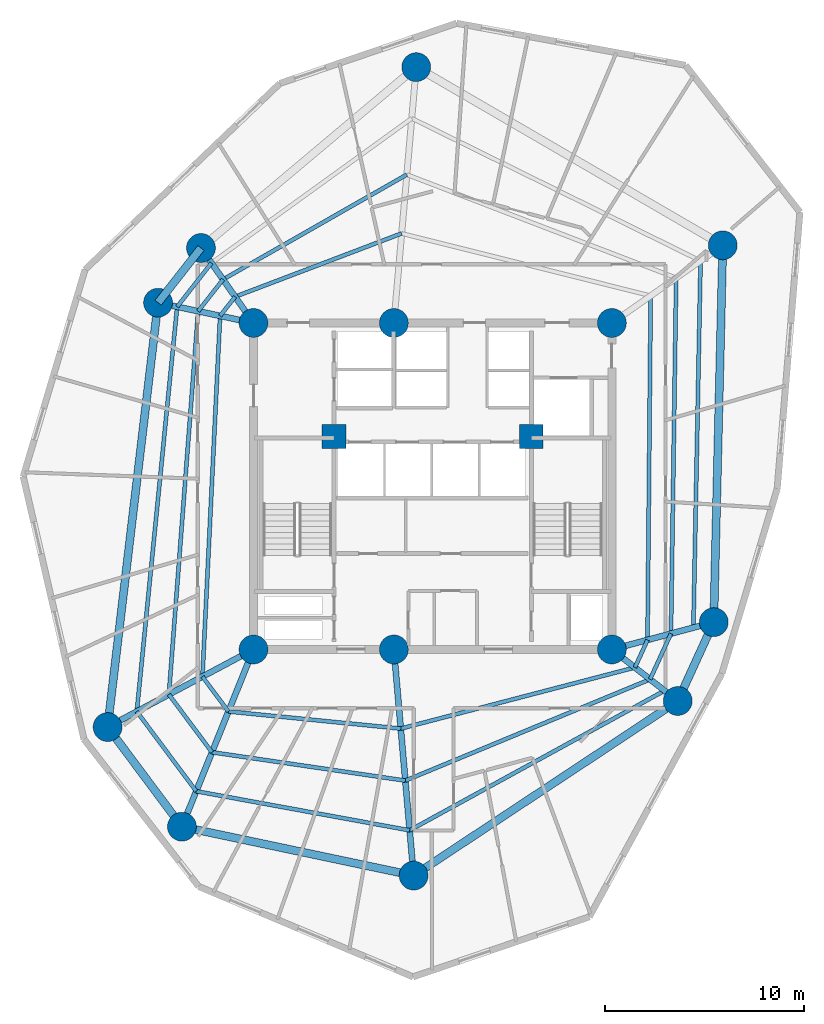
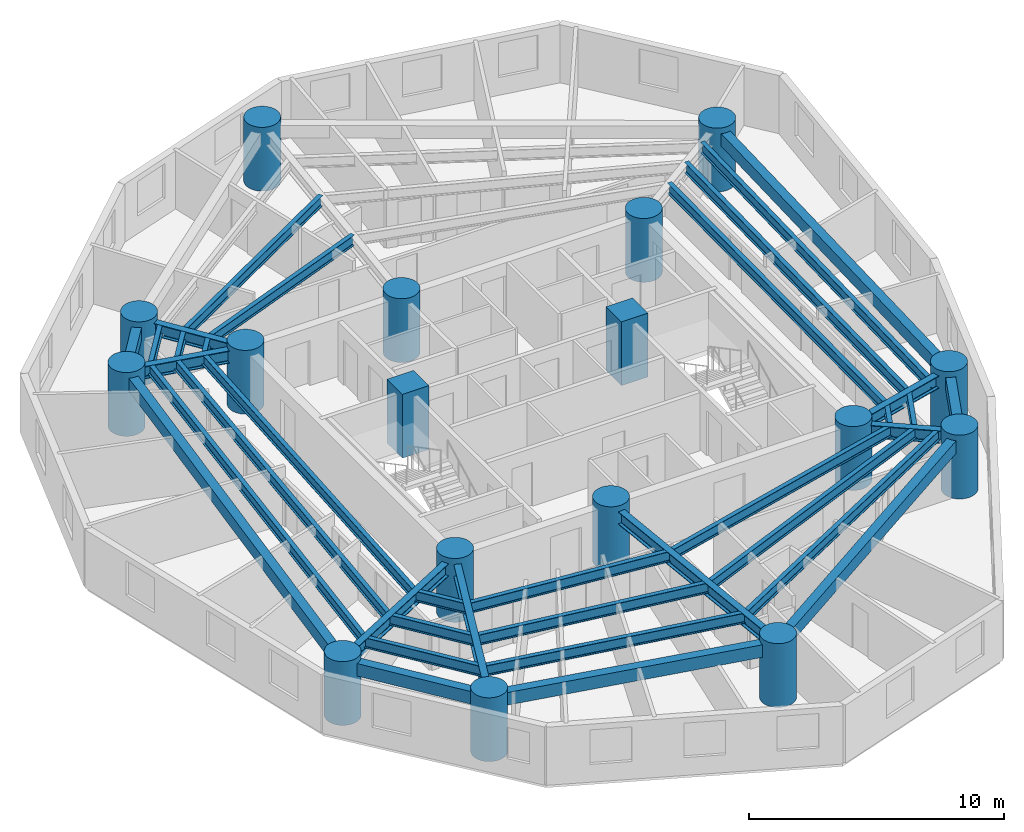
# One storey, part 1 of 7: 36 beams, 17 columns.
"""IFC4 building model written with IfcOpenShell, lengths in metres."""

import ifcopenshell
import ifcopenshell.guid

model = None  # the IFC model being written
_history = None  # IfcOwnerHistory: only IFC2X3 demands one
_inside = {}  # id of a spatial element -> (the spatial element, [elements in it])
_under = {}  # id of a project, library or spatial element -> (it, [spatial elements below it])
_declared = {}  # id of a project -> (the project, [libraries it declares])
_typed = {}  # id of a type object -> (the type object, [elements of that type])
_made_of = {}  # id of a material, layer set ... -> (it, [elements and type objects made of it])


def new_model(schema):
    """Start an empty IFC model of exactly this schema.

    Asked for "IFC4X3", IfcOpenShell would pick the latest addendum, in which some entities
    have other attributes; the version numbers below select the first issue.
    IFC2X3 requires an IfcOwnerHistory on every rooted entity: one is made here for all.
    """
    global model, _history
    if schema == "IFC4X3":
        model = ifcopenshell.file(schema_version=(4, 3, 0, 0))
    else:
        model = ifcopenshell.file(schema=schema)
    _inside.clear()
    _under.clear()
    _declared.clear()
    _typed.clear()
    _made_of.clear()
    _history = None
    if model.schema == "IFC2X3":
        org = make("IfcOrganization", Name="unknown")
        user = make(
            "IfcPersonAndOrganization",
            ThePerson=make("IfcPerson", FamilyName="unknown"),
            TheOrganization=org,
        )
        app = make(
            "IfcApplication",
            ApplicationDeveloper=org,
            Version="unknown",
            ApplicationFullName="unknown",
            ApplicationIdentifier="unknown",
        )
        _history = make(
            "IfcOwnerHistory",
            OwningUser=user,
            OwningApplication=app,
            ChangeAction="ADDED",
            CreationDate=0,
        )
    return model


def make(cls, **values):
    """One entity of the class cls with the attributes given. An attribute that is None is left unset."""
    return model.create_entity(
        cls, **{name: value for name, value in values.items() if value is not None}
    )


def rooted(cls, **values):
    """An entity with a GlobalId (a new one), such as an element, a storey or a relation."""
    return make(cls, GlobalId=ifcopenshell.guid.new(), OwnerHistory=_history, **values)


def si_unit(unit_type, name, prefix=None):
    """IfcSIUnit, for example si_unit("LENGTHUNIT", "METRE", prefix="MILLI")."""
    return make("IfcSIUnit", UnitType=unit_type, Prefix=prefix, Name=name)


def assignment(units):
    """IfcUnitAssignment: the units of a project."""
    return None if units is None else make("IfcUnitAssignment", Units=units)


def point(xyz):
    """IfcCartesianPoint."""
    return None if xyz is None else make("IfcCartesianPoint", Coordinates=xyz)


def direction(xyz):
    """IfcDirection."""
    return None if xyz is None else make("IfcDirection", DirectionRatios=xyz)


def frame(location, z_axis=None, x_axis=None):
    """IfcAxis2Placement3D, a coordinate frame: its origin and axes. An axis left out is left unset."""
    return make(
        "IfcAxis2Placement3D",
        Location=point(location),
        Axis=direction(z_axis),
        RefDirection=direction(x_axis),
    )


def frame_2d(location, x_axis=None):
    """IfcAxis2Placement2D, a coordinate frame in the plane: its origin and x axis."""
    return make(
        "IfcAxis2Placement2D", Location=point(location), RefDirection=direction(x_axis)
    )


def origin():
    """The frame at (0, 0, 0) with its axes left unset."""
    return frame((0.0, 0.0, 0.0))


def origin_with_axes():
    """The frame at (0, 0, 0) with the z axis (0, 0, 1) and the x axis (1, 0, 0) written out."""
    return frame((0.0, 0.0, 0.0), z_axis=(0.0, 0.0, 1.0), x_axis=(1.0, 0.0, 0.0))


def origin_2d():
    """The frame at (0, 0) in the plane with its x axis left unset."""
    return frame_2d((0.0, 0.0))


def place(relative_to, where):
    """IfcLocalPlacement: puts the frame where relative to a parent placement (None: the world)."""
    return make(
        "IfcLocalPlacement", PlacementRelTo=relative_to, RelativePlacement=where
    )


def context(
    kind, dimensions, precision=None, world=None, true_north=None, identifier=None
):
    """IfcGeometricRepresentationContext, for example the 3D "Model" context."""
    return make(
        "IfcGeometricRepresentationContext",
        ContextIdentifier=identifier,
        ContextType=kind,
        CoordinateSpaceDimension=dimensions,
        Precision=precision,
        WorldCoordinateSystem=world,
        TrueNorth=true_north,
    )


def subcontext(parent, identifier, kind, view, scale=None):
    """IfcGeometricRepresentationSubContext, for example "Body" below "Model"."""
    return make(
        "IfcGeometricRepresentationSubContext",
        ContextIdentifier=identifier,
        ContextType=kind,
        ParentContext=parent,
        TargetScale=scale,
        TargetView=view,
    )


def project(units=None, contexts=None):
    """IfcProject with its units and contexts."""
    return rooted(
        "IfcProject",
        Name="project",
        RepresentationContexts=contexts,
        UnitsInContext=assignment(units),
    )


def spatial(cls, under=None, at=None, **own):
    """A site, building, storey or space (cls), placed at a placement, below another one or the project."""
    s = rooted(cls, ObjectPlacement=at, **own)
    if under is not None:
        _under.setdefault(under.id(), (under, []))[1].append(s)
    return s


def profile(cls, at=None, kind="AREA", **sizes):
    """A parametric profile (cls). Its sizes go by their IFC names, for example OverallWidth=200.0."""
    return make(cls, ProfileType=kind, Position=at, **sizes)


def rectangle(**sizes):
    """IfcRectangleProfileDef."""
    return profile("IfcRectangleProfileDef", **sizes)


def circle(**sizes):
    """IfcCircleProfileDef."""
    return profile("IfcCircleProfileDef", **sizes)


def i_section(**sizes):
    """IfcIShapeProfileDef."""
    return profile("IfcIShapeProfileDef", **sizes)


def extrude(swept, where, along, depth):
    """IfcExtrudedAreaSolid: the profile swept, set in the frame where, extruded along a direction by depth."""
    return make(
        "IfcExtrudedAreaSolid",
        SweptArea=swept,
        Position=where,
        ExtrudedDirection=direction(along),
        Depth=depth,
    )


def shape(context_of_items, identifier, shape_type, items):
    """IfcShapeRepresentation: the items that make up one representation, for example the "Body"."""
    return make(
        "IfcShapeRepresentation",
        ContextOfItems=context_of_items,
        RepresentationIdentifier=identifier,
        RepresentationType=shape_type,
        Items=items,
    )


def source(mapping_origin, context_of_items, identifier, shape_type, items):
    """IfcRepresentationMap: a shape defined once, which mapped items show again and again."""
    return make(
        "IfcRepresentationMap",
        MappingOrigin=mapping_origin,
        MappedRepresentation=shape(context_of_items, identifier, shape_type, items),
    )


def transform(
    local_origin,
    x_axis=None,
    y_axis=None,
    z_axis=None,
    scale=None,
    scale2=None,
    scale3=None,
    uniform=True,
):
    """IfcCartesianTransformationOperator3D, or its non-uniform kind. x_axis, y_axis, z_axis: its Axis1, 2, 3."""
    if uniform:
        return make(
            "IfcCartesianTransformationOperator3D",
            Axis1=direction(x_axis),
            Axis2=direction(y_axis),
            LocalOrigin=point(local_origin),
            Scale=scale,
            Axis3=direction(z_axis),
        )
    return make(
        "IfcCartesianTransformationOperator3DnonUniform",
        Axis1=direction(x_axis),
        Axis2=direction(y_axis),
        LocalOrigin=point(local_origin),
        Scale=scale,
        Axis3=direction(z_axis),
        Scale2=scale2,
        Scale3=scale3,
    )


def mapped(mapping_source, mapping_target):
    """IfcMappedItem: shows the shape of a source again, moved by a transform."""
    return make(
        "IfcMappedItem", MappingSource=mapping_source, MappingTarget=mapping_target
    )


def material(Name=None, Category=None):
    """IfcMaterial."""
    return make("IfcMaterial", Name=Name, Category=Category)


def material_profile(
    of_material, cross_section, Name=None, Category=None, Priority=None
):
    """IfcMaterialProfile: a cross section and its material."""
    return make(
        "IfcMaterialProfile",
        Name=Name,
        Material=of_material,
        Profile=cross_section,
        Priority=Priority,
        Category=Category,
    )


def profile_set(profiles, Name=None, composite=None):
    """IfcMaterialProfileSet."""
    return make(
        "IfcMaterialProfileSet",
        Name=Name,
        MaterialProfiles=profiles,
        CompositeProfile=composite,
    )


def made_of(thing, what):
    """Note that an element or type object is made of a material, layer set ...; save() writes the relation."""
    if what is not None:
        _made_of.setdefault(what.id(), (what, []))[1].append(thing)
    return thing


def type_object(cls, material=None, **own):
    """A type object (cls), such as IfcWallType, which elements share."""
    return made_of(rooted(cls, **own), material)


def element(
    cls,
    number,
    at=None,
    inside=None,
    cuts=None,
    type_object=None,
    material=None,
    context=None,
    identifier="Body",
    shape_type=None,
    held_by="IfcProductDefinitionShape",
    body=None,
    shapes=None,
    **own,
):
    """One element of the class cls, such as IfcWall. Its Tag is "e" and its number.

    at: its placement. inside: the storey or other place that contains it. cuts: it is an
    opening in that element (IfcRelVoidsElement). A single representation is given by context,
    identifier, shape_type and body (its items); several are given by shapes. held_by: the class
    of the entity that holds the representations. save() writes the other relations.
    """
    e = rooted(cls, Tag="e%d" % number, ObjectPlacement=at, **own)
    if body is not None:
        shapes = [shape(context, identifier, shape_type, body)]
    if shapes is not None:
        e.Representation = make(held_by, Representations=shapes)
    if inside is not None:
        _inside.setdefault(inside.id(), (inside, []))[1].append(e)
    if cuts is not None:
        rooted(
            "IfcRelVoidsElement", RelatingBuildingElement=cuts, RelatedOpeningElement=e
        )
    if type_object is not None:
        _typed.setdefault(type_object.id(), (type_object, []))[1].append(e)
    return made_of(e, material)


def aggregate(whole, parts):
    """IfcRelAggregates: a whole, such as a stair, and the parts it consists of."""
    return rooted("IfcRelAggregates", RelatingObject=whole, RelatedObjects=parts)


def save(model, path):
    """Write the relations noted so far, then the file.

    IfcRelAggregates (storeys below a building ...), IfcRelContainedInSpatialStructure (elements
    in a storey), IfcRelDefinesByType, IfcRelAssociatesMaterial and IfcRelDeclares: one each for
    every whole, place, type object, material and project.
    """
    for whole, parts in _under.values():
        aggregate(whole, parts)
    for where, things in _inside.values():
        rooted(
            "IfcRelContainedInSpatialStructure",
            RelatedElements=things,
            RelatingStructure=where,
        )
    for kind, things in _typed.values():
        rooted("IfcRelDefinesByType", RelatedObjects=things, RelatingType=kind)
    for what, things in _made_of.values():
        rooted("IfcRelAssociatesMaterial", RelatedObjects=things, RelatingMaterial=what)
    for by, libraries in _declared.values():
        rooted("IfcRelDeclares", RelatingContext=by, RelatedDefinitions=libraries)
    model.write(path)


model = new_model("IFC4")

# Units and contexts
model_context = context("Model", 3, precision=1e-05, world=origin(), true_north=direction((0.0, 1.0)))
body_context = subcontext(model_context, "Body", "Model", "MODEL_VIEW")
ifc_project = project(units=[si_unit("LENGTHUNIT", "METRE"), si_unit("AREAUNIT", "SQUARE_METRE"), si_unit("VOLUMEUNIT", "CUBIC_METRE"), si_unit("PLANEANGLEUNIT", "RADIAN"), si_unit("MASSUNIT", "GRAM", prefix="KILO")], contexts=[model_context])

# Site, building, storey
site_placement = place(None, origin())
site = spatial("IfcSite", under=ifc_project, at=site_placement, CompositionType="ELEMENT")
building_placement = place(site_placement, origin())
building = spatial("IfcBuilding", under=site, at=building_placement, Name="Karkom Vertical University and Central Library", CompositionType="ELEMENT")
storey_placement = place(building_placement, frame((0.0, 0.0, 145.0)))
storey = spatial("IfcBuildingStorey", under=building, at=storey_placement, Name="L41", CompositionType="ELEMENT", Elevation=145.0)

# Columns
ifc_material_1 = material(Name="Concrete C50/60", Category="concrete")
ifc_material_profile_1 = material_profile(ifc_material_1, circle(Radius=0.72509765625, at=origin_2d()), Name="CFT-D1450")
ifc_profile_set_1 = profile_set([ifc_material_profile_1], Name="Concrete C50/60")
column_type_1 = type_object("IfcColumnType", Name="STR-COL-C-SC3", PredefinedType="COLUMN", material=ifc_profile_set_1)
shared_shape_1 = source(origin_with_axes(), body_context, "Body", "SweptSolid", [
    extrude(circle(Radius=0.72509765625, at=origin_2d()), origin(), (0.0, 0.0, 1.0), 3.050048828125),
])
for number, where, z_axis, x_axis, name in (
    (1, (19.5, 18.300048828125, 0.0), (0.0, 0.0, 1.0), (1.0, 0.0, 0.0), "Level 41 Spine Mega-Column SC-1"),
    (2, (26.550048828125, 18.300048828125, 0.0), (0.0, 0.0, 1.0), (1.0, 0.0, 0.0), "Level 41 Spine Mega-Column SC-2"),
    (3, (37.5, 18.300048828125, 0.0), (0.0, 0.0, 1.0), (1.0, 0.0, 0.0), "Level 41 Spine Mega-Column SC-3"),
    (4, (19.5, 34.699951171875, 0.0), (0.0, 0.0, 1.0), (1.0, 0.0, 0.0), "Level 41 Spine Mega-Column SC-4"),
    (5, (26.550048828125, 34.699951171875, 0.0), (0.0, 0.0, 1.0), (1.0, 0.0, 0.0), "Level 41 Spine Mega-Column SC-5"),
    (6, (37.5, 34.699951171875, 0.0), (0.0, 0.0, 1.0), (1.0, 0.0, 0.0), "Level 41 Spine Mega-Column SC-6"),
    (7, (42.618896484375, 19.672119140625, 0.0), (0.0, 0.0, 1.0), (1.0, 0.0, 0.0), "Level 41 Perimeter Mega-Column Z2-PC1"),
    (8, (43.070068359375, 38.60009765625, 0.0), (0.0, 0.0, 1.0), (1.0, 0.0, 0.0), "Level 41 Perimeter Mega-Column Z2-PC2"),
    (9, (27.674072265625, 47.551025390625, 0.0), (0.0, 0.0, 1.0), (1.0, 0.0, 0.0), "Level 41 Perimeter Mega-Column Z2-PC3"),
    (10, (16.862060546875, 38.468017578125, 0.0), (0.0, 0.0, 1.0), (1.0, 0.0, 0.0), "Level 41 Perimeter Mega-Column Z2-PC4"),
    (11, (14.70703125, 35.718994140625, 0.0), (0.0, 0.0, 1.0), (1.0, 0.0, 0.0), "Level 41 Perimeter Mega-Column Z2-PC5"),
    (12, (12.172119140625, 14.403076171875, 0.0), (0.0, 0.0, 1.0), (1.0, 0.0, 0.0), "Level 41 Perimeter Mega-Column Z2-PC6"),
    (13, (15.904052734375, 9.39892578125, 0.0), (0.0, 0.0, 1.0), (1.0, 0.0, 0.0), "Level 41 Perimeter Mega-Column Z2-PC7"),
    (14, (27.5439453125, 6.943115234375, 0.0), (0.0, 0.0, 1.0), (1.0, 0.0, 0.0), "Level 41 Perimeter Mega-Column Z2-PC8"),
    (15, (40.81005859375, 15.714111328125, 0.0), (0.0, 0.0, 1.0), (1.0, 0.0, 0.0), "Level 41 Perimeter Mega-Column Z2-PC9"),
):
    element("IfcColumn", number, at=place(storey_placement, frame(where, z_axis=z_axis, x_axis=x_axis)), inside=storey, type_object=column_type_1, Name=name, PredefinedType="COLUMN", context=body_context, shape_type="MappedRepresentation", body=[
        mapped(shared_shape_1, transform((0.0, 0.0, 0.0), scale=1.0)),
    ])
ifc_material_profile_2 = material_profile(ifc_material_1, rectangle(XDim=1.199951171875, YDim=1.199951171875, at=origin_2d()), Name="RC-1200x1200")
ifc_profile_set_2 = profile_set([ifc_material_profile_2], Name="Concrete C50/60")
column_type_2 = type_object("IfcColumnType", Name="STR-COL-C-CC1", PredefinedType="COLUMN", material=ifc_profile_set_2)
shared_shape_2 = source(origin_with_axes(), body_context, "Body", "SweptSolid", [
    extrude(rectangle(XDim=1.199951171875, YDim=1.199951171875, at=origin_2d()), origin(), (0.0, 0.0, 1.0), 3.050048828125),
])
for number, where, z_axis, x_axis, name in (
    (16, (23.550048828125, 29.0, 0.0), (0.0, 0.0, 1.0), (1.0, 0.0, 0.0), "Level 41 Core Node Column CC-1"),
    (17, (33.449951171875, 29.0, 0.0), (0.0, 0.0, 1.0), (1.0, 0.0, 0.0), "Level 41 Core Node Column CC-2"),
):
    element("IfcColumn", number, at=place(storey_placement, frame(where, z_axis=z_axis, x_axis=x_axis)), inside=storey, type_object=column_type_2, Name=name, PredefinedType="COLUMN", context=body_context, shape_type="MappedRepresentation", body=[
        mapped(shared_shape_2, transform((0.0, 0.0, 0.0), scale=1.0)),
    ])

# Beams
ifc_material_2 = material(Name="Precast concrete C45/55", Category="concrete")
ifc_material_profile_3 = material_profile(ifc_material_2, rectangle(XDim=0.39990234375, YDim=0.60009765625, at=origin_2d()), Name="SPB-400x600")
ifc_profile_set_3 = profile_set([ifc_material_profile_3], Name="Precast concrete C45/55")
beam_type_1 = type_object("IfcBeamType", Name="STR-BM-SP-1", PredefinedType="SPANDREL", material=ifc_profile_set_3)
shared_shape_3 = source(origin_with_axes(), body_context, "Body", "SweptSolid", [
    extrude(rectangle(XDim=0.39990234375, YDim=0.60009765625, at=origin_2d()), origin(), (0.0, 0.0, 1.0), 18.933349609375),
])
beam_1_placement = place(storey_placement, frame((42.618896484375, 19.672119140625, 2.47509765625), z_axis=(0.02382947333, 0.999716037783, 0.0), x_axis=(-0.999716037783, 0.02382947333, 0.0)))
element("IfcBeam", 18, at=beam_1_placement, inside=storey, type_object=beam_type_1, Name="Level 41 Perimeter Spandrel Beam 01", PredefinedType="SPANDREL", context=body_context, shape_type="MappedRepresentation", body=[
    mapped(shared_shape_3, transform((0.0, 0.0, 0.0), scale=1.0)),
])
shared_shape_4 = source(origin_with_axes(), body_context, "Body", "SweptSolid", [
    extrude(rectangle(XDim=0.39990234375, YDim=0.60009765625, at=origin_2d()), origin(), (0.0, 0.0, 1.0), 3.492919921875),
])
beam_2_placement = place(storey_placement, frame((16.862060546875, 38.468017578125, 2.47509765625), z_axis=(-0.616950700538, -0.787001799938, 0.0), x_axis=(0.787001799938, -0.616950700538, 0.0)))
element("IfcBeam", 19, at=beam_2_placement, inside=storey, type_object=beam_type_1, Name="Level 41 Perimeter Spandrel Beam 04", PredefinedType="SPANDREL", context=body_context, shape_type="MappedRepresentation", body=[
    mapped(shared_shape_4, transform((0.0, 0.0, 0.0), scale=1.0)),
])
shared_shape_5 = source(origin_with_axes(), body_context, "Body", "SweptSolid", [
    extrude(rectangle(XDim=0.39990234375, YDim=0.60009765625, at=origin_2d()), origin(), (0.0, 0.0, 1.0), 21.466064453125),
])
beam_3_placement = place(storey_placement, frame((14.70703125, 35.718994140625, 2.47509765625), z_axis=(-0.118088996795, -0.993003015522, 0.0), x_axis=(0.993003015522, -0.118088996795, 0.0)))
element("IfcBeam", 20, at=beam_3_placement, inside=storey, type_object=beam_type_1, Name="Level 41 Perimeter Spandrel Beam 05", PredefinedType="SPANDREL", context=body_context, shape_type="MappedRepresentation", body=[
    mapped(shared_shape_5, transform((0.0, 0.0, 0.0), scale=1.0)),
])
shared_shape_6 = source(origin_with_axes(), body_context, "Body", "SweptSolid", [
    extrude(rectangle(XDim=0.39990234375, YDim=0.60009765625, at=origin_2d()), origin(), (0.0, 0.0, 1.0), 6.242431640625),
])
beam_4_placement = place(storey_placement, frame((12.172119140625, 14.403076171875, 2.47509765625), z_axis=(0.59782643552, -0.801625569074, 0.0), x_axis=(0.801625569074, 0.59782643552, 0.0)))
element("IfcBeam", 21, at=beam_4_placement, inside=storey, type_object=beam_type_1, Name="Level 41 Perimeter Spandrel Beam 06", PredefinedType="SPANDREL", context=body_context, shape_type="MappedRepresentation", body=[
    mapped(shared_shape_6, transform((0.0, 0.0, 0.0), scale=1.0)),
])
shared_shape_7 = source(origin_with_axes(), body_context, "Body", "SweptSolid", [
    extrude(rectangle(XDim=0.39990234375, YDim=0.60009765625, at=origin_2d()), origin(), (0.0, 0.0, 1.0), 11.896240234375),
])
beam_5_placement = place(storey_placement, frame((15.904052734375, 9.39892578125, 2.47509765625), z_axis=(0.978459762135, -0.206437627101, 0.0), x_axis=(0.206437627101, 0.978459762135, 0.0)))
element("IfcBeam", 22, at=beam_5_placement, inside=storey, type_object=beam_type_1, Name="Level 41 Perimeter Spandrel Beam 07", PredefinedType="SPANDREL", context=body_context, shape_type="MappedRepresentation", body=[
    mapped(shared_shape_7, transform((0.0, 0.0, 0.0), scale=1.0)),
])
shared_shape_8 = source(origin_with_axes(), body_context, "Body", "SweptSolid", [
    extrude(rectangle(XDim=0.39990234375, YDim=0.60009765625, at=origin_2d()), origin(), (0.0, 0.0, 1.0), 15.903564453125),
])
beam_6_placement = place(storey_placement, frame((27.5439453125, 6.943115234375, 2.47509765625), z_axis=(0.834165069331, 0.551514856652, 0.0), x_axis=(-0.551514856652, 0.834165069331, 0.0)))
element("IfcBeam", 23, at=beam_6_placement, inside=storey, type_object=beam_type_1, Name="Level 41 Perimeter Spandrel Beam 08", PredefinedType="SPANDREL", context=body_context, shape_type="MappedRepresentation", body=[
    mapped(shared_shape_8, transform((0.0, 0.0, 0.0), scale=1.0)),
])
shared_shape_9 = source(origin_with_axes(), body_context, "Body", "SweptSolid", [
    extrude(rectangle(XDim=0.39990234375, YDim=0.60009765625, at=origin_2d()), origin(), (0.0, 0.0, 1.0), 4.351806640625),
])
beam_7_placement = place(storey_placement, frame((40.81005859375, 15.714111328125, 2.47509765625), z_axis=(0.415657668422, 0.909521139217, 0.0), x_axis=(-0.909521139217, 0.415657668422, 0.0)))
element("IfcBeam", 24, at=beam_7_placement, inside=storey, type_object=beam_type_1, Name="Level 41 Perimeter Spandrel Beam 09", PredefinedType="SPANDREL", context=body_context, shape_type="MappedRepresentation", body=[
    mapped(shared_shape_9, transform((0.0, 0.0, 0.0), scale=1.0)),
])
ifc_material_3 = material(Name="Steel S355", Category="steel")
ifc_material_profile_4 = material_profile(ifc_material_3, i_section(OverallWidth=0.199951171875, OverallDepth=0.5, WebThickness=0.01025390625, FlangeThickness=0.01611328125, FilletRadius=0.02099609375, at=origin_2d()), Name="IPE 500")
ifc_profile_set_4 = profile_set([ifc_material_profile_4], Name="Steel S355")
beam_type_2 = type_object("IfcBeamType", Name="STR-BM-SB-IPE500", PredefinedType="BEAM", material=ifc_profile_set_4)
shared_shape_10 = source(origin_with_axes(), body_context, "Body", "SweptSolid", [
    extrude(i_section(OverallWidth=0.199951171875, OverallDepth=0.5, WebThickness=0.01025390625, FlangeThickness=0.01611328125, FilletRadius=0.02099609375, at=origin_2d()), origin(), (0.0, 0.0, 1.0), 17.285400390625),
])
beam_8_placement = place(storey_placement, frame((39.29150390625, 18.7802734375, 2.52490234375), z_axis=(0.009138294648, 0.999958244914, 0.0), x_axis=(-0.999958244914, 0.009138294648, 0.0)))
element("IfcBeam", 25, at=beam_8_placement, inside=storey, type_object=beam_type_2, Name="Level 41 Secondary Composite Floor Beam 1.01", PredefinedType="BEAM", context=body_context, shape_type="MappedRepresentation", body=[
    mapped(shared_shape_10, transform((0.0, 0.0, 0.0), scale=1.0)),
])
shared_shape_11 = source(origin_with_axes(), body_context, "Body", "SweptSolid", [
    extrude(i_section(OverallWidth=0.199951171875, OverallDepth=0.5, WebThickness=0.01025390625, FlangeThickness=0.01611328125, FilletRadius=0.02099609375, at=origin_2d()), origin(), (0.0, 0.0, 1.0), 8.950439453125),
])
beam_9_placement = place(storey_placement, frame((26.943359375, 39.197998046875, 2.52490234375), z_axis=(-0.93478901494, -0.355203459368, 0.0), x_axis=(0.355203459368, -0.93478901494, 0.0)))
element("IfcBeam", 26, at=beam_9_placement, inside=storey, type_object=beam_type_2, Name="Level 41 Secondary Composite Floor Beam 1.03", PredefinedType="BEAM", context=body_context, shape_type="MappedRepresentation", body=[
    mapped(shared_shape_11, transform((0.0, 0.0, 0.0), scale=1.0)),
])
shared_shape_12 = source(origin_with_axes(), body_context, "Body", "SweptSolid", [
    extrude(i_section(OverallWidth=0.199951171875, OverallDepth=0.5, WebThickness=0.01025390625, FlangeThickness=0.01611328125, FilletRadius=0.02099609375, at=origin_2d()), origin(), (0.0, 0.0, 1.0), 1.222412109375),
])
beam_10_placement = place(storey_placement, frame((18.57666015625, 36.018798828125, 2.52490234375), z_axis=(-0.616895037184, -0.787045432677, 0.0), x_axis=(0.787045432677, -0.616895037184, 0.0)))
element("IfcBeam", 27, at=beam_10_placement, inside=storey, type_object=beam_type_2, Name="Level 41 Secondary Composite Floor Beam 1.04", PredefinedType="BEAM", context=body_context, shape_type="MappedRepresentation", body=[
    mapped(shared_shape_12, transform((0.0, 0.0, 0.0), scale=1.0)),
])
shared_shape_13 = source(origin_with_axes(), body_context, "Body", "SweptSolid", [
    extrude(i_section(OverallWidth=0.199951171875, OverallDepth=0.5, WebThickness=0.01025390625, FlangeThickness=0.01611328125, FilletRadius=0.02099609375, at=origin_2d()), origin(), (0.0, 0.0, 1.0), 18.142333984375),
])
beam_11_placement = place(storey_placement, frame((17.822509765625, 35.056640625, 2.52490234375), z_axis=(-0.048902644774, -0.998803549921, 0.0), x_axis=(0.998803549921, -0.048902644774, 0.0)))
element("IfcBeam", 28, at=beam_11_placement, inside=storey, type_object=beam_type_2, Name="Level 41 Secondary Composite Floor Beam 1.05", PredefinedType="BEAM", context=body_context, shape_type="MappedRepresentation", body=[
    mapped(shared_shape_13, transform((0.0, 0.0, 0.0), scale=1.0)),
])
shared_shape_14 = source(origin_with_axes(), body_context, "Body", "SweptSolid", [
    extrude(i_section(OverallWidth=0.199951171875, OverallDepth=0.5, WebThickness=0.01025390625, FlangeThickness=0.01611328125, FilletRadius=0.02099609375, at=origin_2d()), origin(), (0.0, 0.0, 1.0), 2.1845703125),
])
beam_12_placement = place(storey_placement, frame((16.935302734375, 16.93603515625, 2.52490234375), z_axis=(0.597870130664, -0.801592980795, 0.0), x_axis=(0.801592980795, 0.597870130664, 0.0)))
element("IfcBeam", 29, at=beam_12_placement, inside=storey, type_object=beam_type_2, Name="Level 41 Secondary Composite Floor Beam 1.06", PredefinedType="BEAM", context=body_context, shape_type="MappedRepresentation", body=[
    mapped(shared_shape_14, transform((0.0, 0.0, 0.0), scale=1.0)),
])
shared_shape_15 = source(origin_with_axes(), body_context, "Body", "SweptSolid", [
    extrude(i_section(OverallWidth=0.199951171875, OverallDepth=0.5, WebThickness=0.01025390625, FlangeThickness=0.01611328125, FilletRadius=0.02099609375, at=origin_2d()), origin(), (0.0, 0.0, 1.0), 8.698974609375),
])
beam_13_placement = place(storey_placement, frame((18.241455078125, 15.184814453125, 2.52490234375), z_axis=(0.995105588045, -0.098817349903, 0.0), x_axis=(0.098817349903, 0.995105588045, 0.0)))
element("IfcBeam", 30, at=beam_13_placement, inside=storey, type_object=beam_type_2, Name="Level 41 Secondary Composite Floor Beam 1.07", PredefinedType="BEAM", context=body_context, shape_type="MappedRepresentation", body=[
    mapped(shared_shape_15, transform((0.0, 0.0, 0.0), scale=1.0)),
])
shared_shape_16 = source(origin_with_axes(), body_context, "Body", "SweptSolid", [
    extrude(i_section(OverallWidth=0.199951171875, OverallDepth=0.5, WebThickness=0.01025390625, FlangeThickness=0.01611328125, FilletRadius=0.02099609375, at=origin_2d()), origin(), (0.0, 0.0, 1.0), 12.154541015625),
])
beam_14_placement = place(storey_placement, frame((26.89794921875, 14.3251953125, 2.52490234375), z_axis=(0.967579719768, 0.252565805077, 0.0), x_axis=(-0.252565805077, 0.967579719768, 0.0)))
element("IfcBeam", 31, at=beam_14_placement, inside=storey, type_object=beam_type_2, Name="Level 41 Secondary Composite Floor Beam 1.08", PredefinedType="BEAM", context=body_context, shape_type="MappedRepresentation", body=[
    mapped(shared_shape_16, transform((0.0, 0.0, 0.0), scale=1.0)),
])
shared_shape_17 = source(origin_with_axes(), body_context, "Body", "SweptSolid", [
    extrude(i_section(OverallWidth=0.199951171875, OverallDepth=0.5, WebThickness=0.01025390625, FlangeThickness=0.01611328125, FilletRadius=0.02099609375, at=origin_2d()), origin(), (0.0, 0.0, 1.0), 1.52294921875),
])
beam_15_placement = place(storey_placement, frame((38.658447265625, 17.39501953125, 2.52490234375), z_axis=(0.415649898107, 0.909524690266, 0.0), x_axis=(-0.909524690266, 0.415649898107, 0.0)))
element("IfcBeam", 32, at=beam_15_placement, inside=storey, type_object=beam_type_2, Name="Level 41 Secondary Composite Floor Beam 1.09", PredefinedType="BEAM", context=body_context, shape_type="MappedRepresentation", body=[
    mapped(shared_shape_17, transform((0.0, 0.0, 0.0), scale=1.0)),
])
shared_shape_18 = source(origin_with_axes(), body_context, "Body", "SweptSolid", [
    extrude(i_section(OverallWidth=0.199951171875, OverallDepth=0.5, WebThickness=0.01025390625, FlangeThickness=0.01611328125, FilletRadius=0.02099609375, at=origin_2d()), origin(), (0.0, 0.0, 1.0), 17.8681640625),
])
beam_16_placement = place(storey_placement, frame((40.468994140625, 19.095703125, 2.52490234375), z_axis=(0.014647239676, 0.999892723431, 0.0), x_axis=(-0.999892723431, 0.014647239676, 0.0)))
element("IfcBeam", 33, at=beam_16_placement, inside=storey, type_object=beam_type_2, Name="Level 41 Secondary Composite Floor Beam 2.01", PredefinedType="BEAM", context=body_context, shape_type="MappedRepresentation", body=[
    mapped(shared_shape_18, transform((0.0, 0.0, 0.0), scale=1.0)),
])
shared_shape_19 = source(origin_with_axes(), body_context, "Body", "SweptSolid", [
    extrude(i_section(OverallWidth=0.199951171875, OverallDepth=0.5, WebThickness=0.01025390625, FlangeThickness=0.01611328125, FilletRadius=0.02099609375, at=origin_2d()), origin(), (0.0, 0.0, 1.0), 10.629150390625),
])
beam_17_placement = place(storey_placement, frame((27.201904296875, 42.153564453125, 2.52490234375), z_axis=(-0.868539813491, -0.495619402748, 0.0), x_axis=(0.495619402748, -0.868539813491, 0.0)))
element("IfcBeam", 34, at=beam_17_placement, inside=storey, type_object=beam_type_2, Name="Level 41 Secondary Composite Floor Beam 2.03", PredefinedType="BEAM", context=body_context, shape_type="MappedRepresentation", body=[
    mapped(shared_shape_19, transform((0.0, 0.0, 0.0), scale=1.0)),
])
shared_shape_20 = source(origin_with_axes(), body_context, "Body", "SweptSolid", [
    extrude(i_section(OverallWidth=0.199951171875, OverallDepth=0.5, WebThickness=0.01025390625, FlangeThickness=0.01611328125, FilletRadius=0.02099609375, at=origin_2d()), origin(), (0.0, 0.0, 1.0), 2.02587890625),
])
beam_18_placement = place(storey_placement, frame((17.969970703125, 36.885498046875, 2.52490234375), z_axis=(-0.616889733535, -0.787049589708, 0.0), x_axis=(0.787049589708, -0.616889733535, 0.0)))
element("IfcBeam", 35, at=beam_18_placement, inside=storey, type_object=beam_type_2, Name="Level 41 Secondary Composite Floor Beam 2.04", PredefinedType="BEAM", context=body_context, shape_type="MappedRepresentation", body=[
    mapped(shared_shape_20, transform((0.0, 0.0, 0.0), scale=1.0)),
])
shared_shape_21 = source(origin_with_axes(), body_context, "Body", "SweptSolid", [
    extrude(i_section(OverallWidth=0.199951171875, OverallDepth=0.5, WebThickness=0.01025390625, FlangeThickness=0.01611328125, FilletRadius=0.02099609375, at=origin_2d()), origin(), (0.0, 0.0, 1.0), 19.307373046875),
])
beam_19_placement = place(storey_placement, frame((16.72021484375, 35.291015625, 2.52490234375), z_axis=(-0.07616078645, -0.997095549387, 0.0), x_axis=(0.997095549387, -0.07616078645, 0.0)))
element("IfcBeam", 36, at=beam_19_placement, inside=storey, type_object=beam_type_2, Name="Level 41 Secondary Composite Floor Beam 2.05", PredefinedType="BEAM", context=body_context, shape_type="MappedRepresentation", body=[
    mapped(shared_shape_21, transform((0.0, 0.0, 0.0), scale=1.0)),
])
shared_shape_22 = source(origin_with_axes(), body_context, "Body", "SweptSolid", [
    extrude(i_section(OverallWidth=0.199951171875, OverallDepth=0.5, WebThickness=0.01025390625, FlangeThickness=0.01611328125, FilletRadius=0.02099609375, at=origin_2d()), origin(), (0.0, 0.0, 1.0), 3.62060546875),
])
beam_20_placement = place(storey_placement, frame((15.249755859375, 16.039794921875, 2.52490234375), z_axis=(0.59784003707, -0.801615425298, 0.0), x_axis=(0.801615425298, 0.59784003707, 0.0)))
element("IfcBeam", 37, at=beam_20_placement, inside=storey, type_object=beam_type_2, Name="Level 41 Secondary Composite Floor Beam 2.06", PredefinedType="BEAM", context=body_context, shape_type="MappedRepresentation", body=[
    mapped(shared_shape_22, transform((0.0, 0.0, 0.0), scale=1.0)),
])
shared_shape_23 = source(origin_with_axes(), body_context, "Body", "SweptSolid", [
    extrude(i_section(OverallWidth=0.199951171875, OverallDepth=0.5, WebThickness=0.01025390625, FlangeThickness=0.01611328125, FilletRadius=0.02099609375, at=origin_2d()), origin(), (0.0, 0.0, 1.0), 9.816162109375),
])
beam_21_placement = place(storey_placement, frame((17.414306640625, 13.137451171875, 2.52490234375), z_axis=(0.989413295367, -0.145125225069, 0.0), x_axis=(0.145125225069, 0.989413295367, 0.0)))
element("IfcBeam", 38, at=beam_21_placement, inside=storey, type_object=beam_type_2, Name="Level 41 Secondary Composite Floor Beam 2.07", PredefinedType="BEAM", context=body_context, shape_type="MappedRepresentation", body=[
    mapped(shared_shape_23, transform((0.0, 0.0, 0.0), scale=1.0)),
])
shared_shape_24 = source(origin_with_axes(), body_context, "Body", "SweptSolid", [
    extrude(i_section(OverallWidth=0.199951171875, OverallDepth=0.5, WebThickness=0.01025390625, FlangeThickness=0.01611328125, FilletRadius=0.02099609375, at=origin_2d()), origin(), (0.0, 0.0, 1.0), 13.304443359375),
])
beam_22_placement = place(storey_placement, frame((27.12646484375, 11.712890625, 2.52490234375), z_axis=(0.924011243398, 0.382365299255, 0.0), x_axis=(-0.382365299255, 0.924011243398, 0.0)))
element("IfcBeam", 39, at=beam_22_placement, inside=storey, type_object=beam_type_2, Name="Level 41 Secondary Composite Floor Beam 2.08", PredefinedType="BEAM", context=body_context, shape_type="MappedRepresentation", body=[
    mapped(shared_shape_24, transform((0.0, 0.0, 0.0), scale=1.0)),
])
shared_shape_25 = source(origin_with_axes(), body_context, "Body", "SweptSolid", [
    extrude(i_section(OverallWidth=0.199951171875, OverallDepth=0.5, WebThickness=0.01025390625, FlangeThickness=0.01611328125, FilletRadius=0.02099609375, at=origin_2d()), origin(), (0.0, 0.0, 1.0), 2.52392578125),
])
beam_23_placement = place(storey_placement, frame((39.419921875, 16.800048828125, 2.52490234375), z_axis=(0.415638602127, 0.909529852408, 0.0), x_axis=(-0.909529852408, 0.415638602127, 0.0)))
element("IfcBeam", 40, at=beam_23_placement, inside=storey, type_object=beam_type_2, Name="Level 41 Secondary Composite Floor Beam 2.09", PredefinedType="BEAM", context=body_context, shape_type="MappedRepresentation", body=[
    mapped(shared_shape_25, transform((0.0, 0.0, 0.0), scale=1.0)),
])
shared_shape_26 = source(origin_with_axes(), body_context, "Body", "SweptSolid", [
    extrude(i_section(OverallWidth=0.199951171875, OverallDepth=0.5, WebThickness=0.01025390625, FlangeThickness=0.01611328125, FilletRadius=0.02099609375, at=origin_2d()), origin(), (0.0, 0.0, 1.0), 18.42578125),
])
beam_24_placement = place(storey_placement, frame((41.59521484375, 19.397705078125, 2.52490234375), z_axis=(0.019583298818, 0.999808228816, 0.0), x_axis=(-0.999808228816, 0.019583298818, 0.0)))
element("IfcBeam", 41, at=beam_24_placement, inside=storey, type_object=beam_type_2, Name="Level 41 Secondary Composite Floor Beam 3.01", PredefinedType="BEAM", context=body_context, shape_type="MappedRepresentation", body=[
    mapped(shared_shape_26, transform((0.0, 0.0, 0.0), scale=1.0)),
])
shared_shape_27 = source(origin_with_axes(), body_context, "Body", "SweptSolid", [
    extrude(i_section(OverallWidth=0.199951171875, OverallDepth=0.5, WebThickness=0.01025390625, FlangeThickness=0.01611328125, FilletRadius=0.02099609375, at=origin_2d()), origin(), (0.0, 0.0, 1.0), 2.79443359375),
])
beam_25_placement = place(storey_placement, frame((17.3896484375, 37.71435546875, 2.52490234375), z_axis=(-0.616972344898, -0.786984831894, 0.0), x_axis=(0.786984831894, -0.616972344898, 0.0)))
element("IfcBeam", 42, at=beam_25_placement, inside=storey, type_object=beam_type_2, Name="Level 41 Secondary Composite Floor Beam 3.04", PredefinedType="BEAM", context=body_context, shape_type="MappedRepresentation", body=[
    mapped(shared_shape_27, transform((0.0, 0.0, 0.0), scale=1.0)),
])
shared_shape_28 = source(origin_with_axes(), body_context, "Body", "SweptSolid", [
    extrude(i_section(OverallWidth=0.199951171875, OverallDepth=0.5, WebThickness=0.01025390625, FlangeThickness=0.01611328125, FilletRadius=0.02099609375, at=origin_2d()), origin(), (0.0, 0.0, 1.0), 20.43359375),
])
beam_26_placement = place(storey_placement, frame((15.66552734375, 35.51513671875, 2.52490234375), z_axis=(-0.099239913611, -0.995063535432, 0.0), x_axis=(0.995063535432, -0.099239913611, 0.0)))
element("IfcBeam", 43, at=beam_26_placement, inside=storey, type_object=beam_type_2, Name="Level 41 Secondary Composite Floor Beam 3.05", PredefinedType="BEAM", context=body_context, shape_type="MappedRepresentation", body=[
    mapped(shared_shape_28, transform((0.0, 0.0, 0.0), scale=1.0)),
])
shared_shape_29 = source(origin_with_axes(), body_context, "Body", "SweptSolid", [
    extrude(i_section(OverallWidth=0.199951171875, OverallDepth=0.5, WebThickness=0.01025390625, FlangeThickness=0.01611328125, FilletRadius=0.02099609375, at=origin_2d()), origin(), (0.0, 0.0, 1.0), 4.993896484375),
])
beam_27_placement = place(storey_placement, frame((13.6376953125, 15.182373046875, 2.52490234375), z_axis=(0.597846775537, -0.801610399745, 0.0), x_axis=(0.801610399745, 0.597846775537, 0.0)))
element("IfcBeam", 44, at=beam_27_placement, inside=storey, type_object=beam_type_2, Name="Level 41 Secondary Composite Floor Beam 3.06", PredefinedType="BEAM", context=body_context, shape_type="MappedRepresentation", body=[
    mapped(shared_shape_29, transform((0.0, 0.0, 0.0), scale=1.0)),
])
shared_shape_30 = source(origin_with_axes(), body_context, "Body", "SweptSolid", [
    extrude(i_section(OverallWidth=0.199951171875, OverallDepth=0.5, WebThickness=0.01025390625, FlangeThickness=0.01611328125, FilletRadius=0.02099609375, at=origin_2d()), origin(), (0.0, 0.0, 1.0), 10.900390625),
])
beam_28_placement = place(storey_placement, frame((16.623291015625, 11.17919921875, 2.52490234375), z_axis=(0.98362026014, -0.180253110495, 0.0), x_axis=(0.180253110495, 0.98362026014, 0.0)))
element("IfcBeam", 45, at=beam_28_placement, inside=storey, type_object=beam_type_2, Name="Level 41 Secondary Composite Floor Beam 3.07", PredefinedType="BEAM", context=body_context, shape_type="MappedRepresentation", body=[
    mapped(shared_shape_30, transform((0.0, 0.0, 0.0), scale=1.0)),
])
shared_shape_31 = source(origin_with_axes(), body_context, "Body", "SweptSolid", [
    extrude(i_section(OverallWidth=0.199951171875, OverallDepth=0.5, WebThickness=0.01025390625, FlangeThickness=0.01611328125, FilletRadius=0.02099609375, at=origin_2d()), origin(), (0.0, 0.0, 1.0), 14.599609375),
])
beam_29_placement = place(storey_placement, frame((27.34521484375, 9.21435546875, 2.52490234375), z_axis=(0.876928143127, 0.480621505752, 0.0), x_axis=(-0.480621505752, 0.876928143127, 0.0)))
element("IfcBeam", 46, at=beam_29_placement, inside=storey, type_object=beam_type_2, Name="Level 41 Secondary Composite Floor Beam 3.08", PredefinedType="BEAM", context=body_context, shape_type="MappedRepresentation", body=[
    mapped(shared_shape_31, transform((0.0, 0.0, 0.0), scale=1.0)),
])
ifc_material_profile_5 = material_profile(ifc_material_3, i_section(OverallWidth=0.300048828125, OverallDepth=0.60009765625, WebThickness=0.015380859375, FlangeThickness=0.030029296875, FilletRadius=0.027099609375, at=origin_2d()), Name="HE 600 B")
ifc_profile_set_5 = profile_set([ifc_material_profile_5], Name="Steel S355")
beam_type_3 = type_object("IfcBeamType", Name="STR-BM-SB-HE600", PredefinedType="USERDEFINED", material=ifc_profile_set_5)
shared_shape_32 = source(origin_with_axes(), body_context, "Body", "SweptSolid", [
    extrude(i_section(OverallWidth=0.300048828125, OverallDepth=0.60009765625, WebThickness=0.015380859375, FlangeThickness=0.030029296875, FilletRadius=0.027099609375, at=origin_2d()), origin(), (0.0, 0.0, 1.0), 5.299560546875),
])
beam_30_placement = place(storey_placement, frame((37.5, 18.300048828125, 2.47509765625), z_axis=(0.965903833688, 0.258901108663, 0.0), x_axis=(-0.258901108663, 0.965903833688, 0.0)))
element("IfcBeam", 47, at=beam_30_placement, inside=storey, type_object=beam_type_3, Name="Level 41 Radial Frame Girder 01", ObjectType="GIRDER", PredefinedType="USERDEFINED", context=body_context, shape_type="MappedRepresentation", body=[
    mapped(shared_shape_32, transform((0.0, 0.0, 0.0), scale=1.0)),
])
shared_shape_33 = source(origin_with_axes(), body_context, "Body", "SweptSolid", [
    extrude(i_section(OverallWidth=0.300048828125, OverallDepth=0.60009765625, WebThickness=0.015380859375, FlangeThickness=0.030029296875, FilletRadius=0.027099609375, at=origin_2d()), origin(), (0.0, 0.0, 1.0), 4.599609375),
])
beam_31_placement = place(storey_placement, frame((19.5, 34.699951171875, 2.47509765625), z_axis=(-0.573505090764, 0.819201996377, 0.0), x_axis=(-0.819201996377, -0.573505090764, 0.0)))
element("IfcBeam", 48, at=beam_31_placement, inside=storey, type_object=beam_type_3, Name="Level 41 Radial Frame Girder 04", ObjectType="GIRDER", PredefinedType="USERDEFINED", context=body_context, shape_type="MappedRepresentation", body=[
    mapped(shared_shape_33, transform((0.0, 0.0, 0.0), scale=1.0)),
])
shared_shape_34 = source(origin_with_axes(), body_context, "Body", "SweptSolid", [
    extrude(i_section(OverallWidth=0.300048828125, OverallDepth=0.60009765625, WebThickness=0.015380859375, FlangeThickness=0.030029296875, FilletRadius=0.027099609375, at=origin_2d()), origin(), (0.0, 0.0, 1.0), 4.900146484375),
])
beam_32_placement = place(storey_placement, frame((19.5, 34.699951171875, 2.47509765625), z_axis=(-0.978136559131, 0.207963630695, 0.0), x_axis=(-0.207963630695, -0.978136559131, 0.0)))
element("IfcBeam", 49, at=beam_32_placement, inside=storey, type_object=beam_type_3, Name="Level 41 Radial Frame Girder 05", ObjectType="GIRDER", PredefinedType="USERDEFINED", context=body_context, shape_type="MappedRepresentation", body=[
    mapped(shared_shape_34, transform((0.0, 0.0, 0.0), scale=1.0)),
])
shared_shape_35 = source(origin_with_axes(), body_context, "Body", "SweptSolid", [
    extrude(i_section(OverallWidth=0.300048828125, OverallDepth=0.60009765625, WebThickness=0.015380859375, FlangeThickness=0.030029296875, FilletRadius=0.027099609375, at=origin_2d()), origin(), (0.0, 0.0, 1.0), 8.299560546875),
])
beam_33_placement = place(storey_placement, frame((19.5, 18.300048828125, 2.47509765625), z_axis=(-0.882914163564, -0.469534428746, 0.0), x_axis=(0.469534428746, -0.882914163564, 0.0)))
element("IfcBeam", 50, at=beam_33_placement, inside=storey, type_object=beam_type_3, Name="Level 41 Radial Frame Girder 06", ObjectType="GIRDER", PredefinedType="USERDEFINED", context=body_context, shape_type="MappedRepresentation", body=[
    mapped(shared_shape_35, transform((0.0, 0.0, 0.0), scale=1.0)),
])
shared_shape_36 = source(origin_with_axes(), body_context, "Body", "SweptSolid", [
    extrude(i_section(OverallWidth=0.300048828125, OverallDepth=0.60009765625, WebThickness=0.015380859375, FlangeThickness=0.030029296875, FilletRadius=0.027099609375, at=origin_2d()), origin(), (0.0, 0.0, 1.0), 9.60009765625),
])
beam_34_placement = place(storey_placement, frame((19.5, 18.300048828125, 2.47509765625), z_axis=(-0.374576157034, -0.927196151082, 0.0), x_axis=(0.927196151082, -0.374576157034, 0.0)))
element("IfcBeam", 51, at=beam_34_placement, inside=storey, type_object=beam_type_3, Name="Level 41 Radial Frame Girder 07", ObjectType="GIRDER", PredefinedType="USERDEFINED", context=body_context, shape_type="MappedRepresentation", body=[
    mapped(shared_shape_36, transform((0.0, 0.0, 0.0), scale=1.0)),
])
shared_shape_37 = source(origin_with_axes(), body_context, "Body", "SweptSolid", [
    extrude(i_section(OverallWidth=0.300048828125, OverallDepth=0.60009765625, WebThickness=0.015380859375, FlangeThickness=0.030029296875, FilletRadius=0.027099609375, at=origin_2d()), origin(), (0.0, 0.0, 1.0), 11.400390625),
])
beam_35_placement = place(storey_placement, frame((26.550048828125, 18.300048828125, 2.47509765625), z_axis=(0.087181295702, -0.996192462168, 0.0), x_axis=(0.996192462168, 0.087181295702, 0.0)))
element("IfcBeam", 52, at=beam_35_placement, inside=storey, type_object=beam_type_3, Name="Level 41 Radial Frame Girder 08", ObjectType="GIRDER", PredefinedType="USERDEFINED", context=body_context, shape_type="MappedRepresentation", body=[
    mapped(shared_shape_37, transform((0.0, 0.0, 0.0), scale=1.0)),
])
shared_shape_38 = source(origin_with_axes(), body_context, "Body", "SweptSolid", [
    extrude(i_section(OverallWidth=0.300048828125, OverallDepth=0.60009765625, WebThickness=0.015380859375, FlangeThickness=0.030029296875, FilletRadius=0.027099609375, at=origin_2d()), origin(), (0.0, 0.0, 1.0), 4.200439453125),
])
beam_36_placement = place(storey_placement, frame((37.5, 18.300048828125, 2.47509765625), z_axis=(0.788029660796, -0.615637274461, 0.0), x_axis=(0.615637274461, 0.788029660796, 0.0)))
element("IfcBeam", 53, at=beam_36_placement, inside=storey, type_object=beam_type_3, Name="Level 41 Radial Frame Girder 09", ObjectType="GIRDER", PredefinedType="USERDEFINED", context=body_context, shape_type="MappedRepresentation", body=[
    mapped(shared_shape_38, transform((0.0, 0.0, 0.0), scale=1.0)),
])

save(model, "model.ifc")
